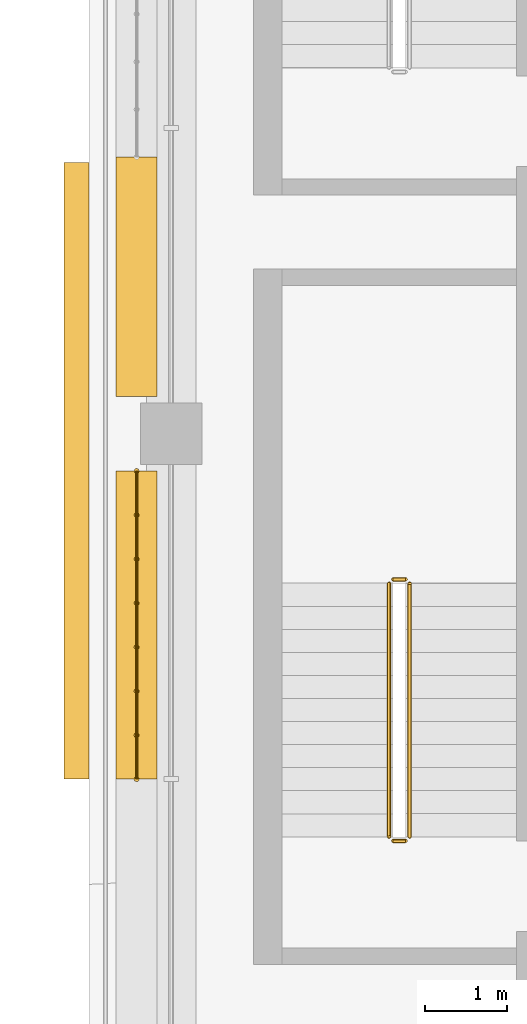
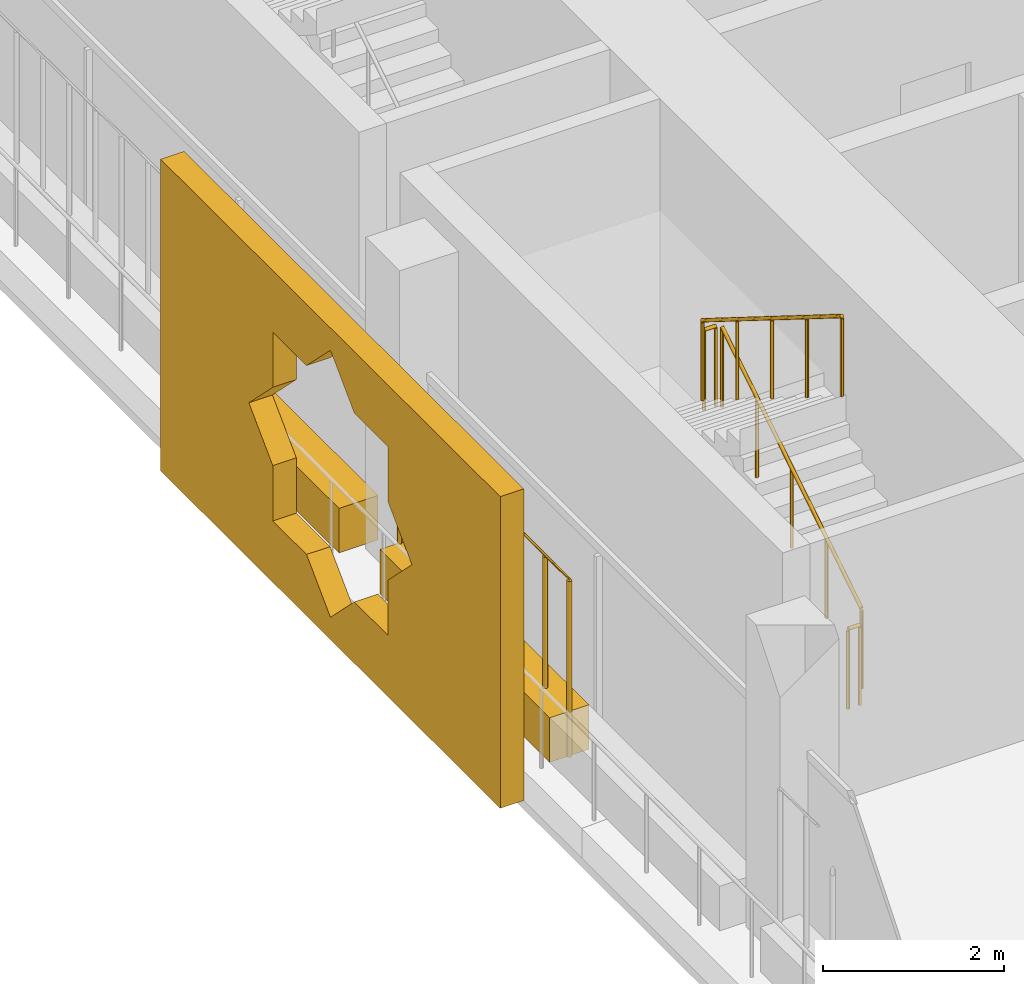
# One storey, part 17 of 22: 5 railings, 3 coverings.
"""IFC4 building model written with IfcOpenShell, lengths in metres."""

from ifc_helpers import new_model, si_unit, direction, frame, origin, origin_2d, place, context, subcontext, project, spatial, polyline, rectangle, circle, outline, extrude, material, material_profile, profile_set, type_object, element, save


model = new_model("IFC4")

# Units and contexts
model_context = context("Model", 3, precision=1e-05, world=origin(), true_north=direction((0.0, 1.0)))
body_context = subcontext(model_context, "Body", "Model", "MODEL_VIEW")
ifc_project = project(units=[si_unit("LENGTHUNIT", "METRE"), si_unit("AREAUNIT", "SQUARE_METRE"), si_unit("VOLUMEUNIT", "CUBIC_METRE"), si_unit("PLANEANGLEUNIT", "RADIAN"), si_unit("MASSUNIT", "GRAM", prefix="KILO")], contexts=[model_context])

# Site, building, storey
site_placement = place(None, origin())
site = spatial("IfcSite", under=ifc_project, at=site_placement, CompositionType="ELEMENT")
building_placement = place(site_placement, origin())
building = spatial("IfcBuilding", under=site, at=building_placement, Name="Kawkab Arch Medical Tower", CompositionType="ELEMENT")
storey_placement = place(building_placement, frame((0.0, 0.0, 294.39990234375)))
storey = spatial("IfcBuildingStorey", under=building, at=storey_placement, Name="L68", CompositionType="ELEMENT", Elevation=294.39990234375)

# Coverings
ifc_material_1 = material(Name="Bronze anodised aluminium mashrabiya panel, eight-point star pattern", Category="aluminium")
ifc_material_profile_1 = material_profile(ifc_material_1, outline(polyline([(-3.75, -2.10009765625), (3.75, -2.10009765625), (3.75, 2.10009765625), (-3.75, 2.10009765625), (-3.75, -2.10009765625)]), holes=[polyline([(1.800048828125, 0.0), (1.272705078125, 0.527099609375), (1.272705078125, 1.272705078125), (0.527099609375, 1.272705078125), (0.0, 1.800048828125), (-0.527099609375, 1.272705078125), (-1.272705078125, 1.272705078125), (-1.272705078125, 0.527099609375), (-1.800048828125, 0.0), (-1.272705078125, -0.527099609375), (-1.272705078125, -1.272705078125), (-0.527099609375, -1.272705078125), (0.0, -1.800048828125), (0.527099609375, -1.272705078125), (1.272705078125, -1.272705078125), (1.272705078125, -0.527099609375), (1.800048828125, 0.0)])]), Name="Mashrabiya panel 7500x4200")
ifc_profile_set_1 = profile_set([ifc_material_profile_1], Name="Bronze anodised aluminium mashrabiya panel, eight-point star pattern")
covering_type_1 = type_object("IfcCoveringType", Name="Mashrabiya panel 7500 x 4200", PredefinedType="USERDEFINED", material=ifc_profile_set_1)
covering_1_placement = place(storey_placement, frame((-1.0, -17.24951171875, 1.7001953125), z_axis=(-1.0, 0.0, 0.0), x_axis=(0.0, -1.0, 0.0)))
element("IfcCovering", 1, at=covering_1_placement, inside=storey, type_object=covering_type_1, Name="Mashrabiya panel L68.LOG-01-01.2", ObjectType="SCREEN", PredefinedType="USERDEFINED", context=body_context, shape_type="SweptSolid", body=[
    extrude(outline(polyline([(-3.75, -2.10009765625), (3.75, -2.10009765625), (3.75, 2.10009765625), (-3.75, 2.10009765625), (-3.75, -2.10009765625)]), holes=[polyline([(1.800048828125, 0.0), (1.272705078125, 0.527099609375), (1.272705078125, 1.272705078125), (0.527099609375, 1.272705078125), (0.0, 1.800048828125), (-0.527099609375, 1.272705078125), (-1.272705078125, 1.272705078125), (-1.272705078125, 0.527099609375), (-1.800048828125, 0.0), (-1.272705078125, -0.527099609375), (-1.272705078125, -1.272705078125), (-0.527099609375, -1.272705078125), (0.0, -1.800048828125), (0.527099609375, -1.272705078125), (1.272705078125, -1.272705078125), (1.272705078125, -0.527099609375), (1.800048828125, 0.0)])]), origin(), (0.0, 0.0, 1.0), 0.300048828125),
])
ifc_material_2 = material(Name="Planting soil in a precast trough", Category="concrete")
ifc_material_profile_2 = material_profile(ifc_material_2, rectangle(XDim=0.5, YDim=0.60009765625, at=origin_2d()), Name="Trough 500x600")
ifc_profile_set_2 = profile_set([ifc_material_profile_2], Name="Planting soil in a precast trough")
covering_type_2 = type_object("IfcCoveringType", Name="Planter trough 500 x 600", PredefinedType="USERDEFINED", material=ifc_profile_set_2)
covering_2_placement = place(storey_placement, frame((-0.419921875, -21.0, 0.300048828125), z_axis=(0.0, 1.0, 0.0), x_axis=(-1.0, 0.0, 0.0)))
element("IfcCovering", 2, at=covering_2_placement, inside=storey, type_object=covering_type_2, Name="Planter L68.LOG-01-01.7", ObjectType="PLANTER", PredefinedType="USERDEFINED", context=body_context, shape_type="SweptSolid", body=[
    extrude(rectangle(XDim=0.5, YDim=0.60009765625, at=origin_2d()), origin(), (0.0, 0.0, 1.0), 3.7470703125),
])
covering_3_placement = place(storey_placement, frame((-0.419921875, -16.346923828125, 0.300048828125), z_axis=(0.0, 1.0, 0.0), x_axis=(-1.0, 0.0, 0.0)))
element("IfcCovering", 3, at=covering_3_placement, inside=storey, type_object=covering_type_2, Name="Planter L68.LOG-01-01.8", ObjectType="PLANTER", PredefinedType="USERDEFINED", context=body_context, shape_type="SweptSolid", body=[
    extrude(rectangle(XDim=0.5, YDim=0.60009765625, at=origin_2d()), origin(), (0.0, 0.0, 1.0), 2.909912109375),
])

# Railings
ifc_material_3 = material(Name="Bronze anodised aluminium trellis for climbing plants", Category="aluminium")
railing_type_1 = type_object("IfcRailingType", Name="Planting trellis 2400", PredefinedType="USERDEFINED", material=ifc_material_3)
railing_1_placement = place(storey_placement, frame((-0.419921875, -21.0, 0.0)))
element("IfcRailing", 4, at=railing_1_placement, inside=storey, type_object=railing_type_1, Name="Planting trellis L68.LOG-01-01.7", ObjectType="TRELLIS", PredefinedType="USERDEFINED", context=body_context, shape_type="SweptSolid", body=[
    extrude(circle(Radius=0.01513671875, at=origin_2d()), frame((0.0, 0.0, 2.384765625), z_axis=(0.0, 1.0, 0.0), x_axis=(-1.0, 0.0, 0.0)), (0.0, 0.0, 1.0), 3.7470703125),
    extrude(circle(Radius=0.030029296875, at=origin_2d()), origin(), (0.0, 0.0, 1.0), 2.369873046875),
    extrude(circle(Radius=0.030029296875, at=origin_2d()), frame((0.0, 0.535400390625, 0.0)), (0.0, 0.0, 1.0), 2.369873046875),
    extrude(circle(Radius=0.030029296875, at=origin_2d()), frame((0.0, 1.070556640625, 0.0)), (0.0, 0.0, 1.0), 2.369873046875),
    extrude(circle(Radius=0.030029296875, at=origin_2d()), frame((0.0, 1.60595703125, 0.0)), (0.0, 0.0, 1.0), 2.369873046875),
    extrude(circle(Radius=0.030029296875, at=origin_2d()), frame((0.0, 2.14111328125, 0.0)), (0.0, 0.0, 1.0), 2.369873046875),
    extrude(circle(Radius=0.030029296875, at=origin_2d()), frame((0.0, 2.676513671875, 0.0)), (0.0, 0.0, 1.0), 2.369873046875),
    extrude(circle(Radius=0.030029296875, at=origin_2d()), frame((0.0, 3.211669921875, 0.0)), (0.0, 0.0, 1.0), 2.369873046875),
    extrude(circle(Radius=0.030029296875, at=origin_2d()), frame((0.0, 3.7470703125, 0.0)), (0.0, 0.0, 1.0), 2.369873046875),
])
ifc_material_4 = material(Name="Stainless steel", Category="steel")
railing_type_2 = type_object("IfcRailingType", Name="Stair guard 1100", PredefinedType="GUARDRAIL", material=ifc_material_4)
railing_2_placement = place(storey_placement, frame((2.89990234375, -21.699951171875, 0.175048828125)))
element("IfcRailing", 5, at=railing_2_placement, inside=storey, type_object=railing_type_2, Name="L68 ST2 stair guard 1", PredefinedType="GUARDRAIL", context=body_context, shape_type="SweptSolid", body=[
    extrude(circle(Radius=0.02392578125, at=origin_2d()), frame((0.0, 0.0, 1.076171875), z_axis=(0.0, 0.847979421464, 0.530029150871), x_axis=(-1.0, 0.0, 0.0)), (0.0, 0.0, 1.0), 3.632080078125),
    extrude(circle(Radius=0.02099609375, at=origin_2d()), origin(), (0.0, 0.0, 1.0), 1.052001953125),
    extrude(circle(Radius=0.02099609375, at=origin_2d()), frame((0.0, 0.77001953125, 0.481201171875)), (0.0, 0.0, 1.0), 1.052001953125),
    extrude(circle(Radius=0.02099609375, at=origin_2d()), frame((0.0, 1.5400390625, 0.96240234375)), (0.0, 0.0, 1.0), 1.052001953125),
    extrude(circle(Radius=0.02099609375, at=origin_2d()), frame((0.0, 2.309814453125, 1.44384765625)), (0.0, 0.0, 1.0), 1.052001953125),
    extrude(circle(Radius=0.02099609375, at=origin_2d()), frame((0.0, 3.079833984375, 1.925048828125)), (0.0, 0.0, 1.0), 1.052001953125),
])
railing_3_placement = place(storey_placement, frame((2.85009765625, -18.570068359375, 2.10009765625)))
element("IfcRailing", 6, at=railing_3_placement, inside=storey, type_object=railing_type_2, Name="L68 ST2 stair guard 2", PredefinedType="GUARDRAIL", context=body_context, shape_type="SweptSolid", body=[
    extrude(circle(Radius=0.02392578125, at=origin_2d()), frame((0.0, 0.0, 1.076171875), z_axis=(-1.0, 0.0, 0.0), x_axis=(0.0, -1.0, 0.0)), (0.0, 0.0, 1.0), 0.150146484375),
    extrude(circle(Radius=0.02099609375, at=origin_2d()), origin(), (0.0, 0.0, 1.0), 1.052001953125),
    extrude(circle(Radius=0.02099609375, at=origin_2d()), frame((-0.150146484375, 0.0, 0.0)), (0.0, 0.0, 1.0), 1.052001953125),
])
railing_4_placement = place(storey_placement, frame((2.64990234375, -18.6201171875, 2.275146484375)))
element("IfcRailing", 7, at=railing_4_placement, inside=storey, type_object=railing_type_2, Name="L68 ST2 stair guard 3", PredefinedType="GUARDRAIL", context=body_context, shape_type="SweptSolid", body=[
    extrude(circle(Radius=0.02392578125, at=origin_2d()), frame((0.0, 0.0, 1.076171875), z_axis=(0.0, -0.847979421464, 0.530029150871), x_axis=(1.0, 0.0, 0.0)), (0.0, 0.0, 1.0), 3.632080078125),
    extrude(circle(Radius=0.02099609375, at=origin_2d()), origin(), (0.0, 0.0, 1.0), 1.052001953125),
    extrude(circle(Radius=0.02099609375, at=origin_2d()), frame((0.0, -0.77001953125, 0.481201171875)), (0.0, 0.0, 1.0), 1.052001953125),
    extrude(circle(Radius=0.02099609375, at=origin_2d()), frame((0.0, -1.5400390625, 0.96240234375)), (0.0, 0.0, 1.0), 1.052001953125),
    extrude(circle(Radius=0.02099609375, at=origin_2d()), frame((0.0, -2.309814453125, 1.44384765625)), (0.0, 0.0, 1.0), 1.052001953125),
    extrude(circle(Radius=0.02099609375, at=origin_2d()), frame((0.0, -3.079833984375, 1.925048828125)), (0.0, 0.0, 1.0), 1.052001953125),
])
railing_5_placement = place(storey_placement, frame((2.85009765625, -21.75, 0.0)))
element("IfcRailing", 8, at=railing_5_placement, inside=storey, type_object=railing_type_2, Name="L68 ST2 stair guard 4", PredefinedType="GUARDRAIL", context=body_context, shape_type="SweptSolid", body=[
    extrude(circle(Radius=0.02392578125, at=origin_2d()), frame((0.0, 0.0, 1.076171875), z_axis=(-1.0, 0.0, 0.0), x_axis=(0.0, -1.0, 0.0)), (0.0, 0.0, 1.0), 0.150146484375),
    extrude(circle(Radius=0.02099609375, at=origin_2d()), origin(), (0.0, 0.0, 1.0), 1.052001953125),
    extrude(circle(Radius=0.02099609375, at=origin_2d()), frame((-0.150146484375, 0.0, 0.0)), (0.0, 0.0, 1.0), 1.052001953125),
])

save(model, "model.ifc")
